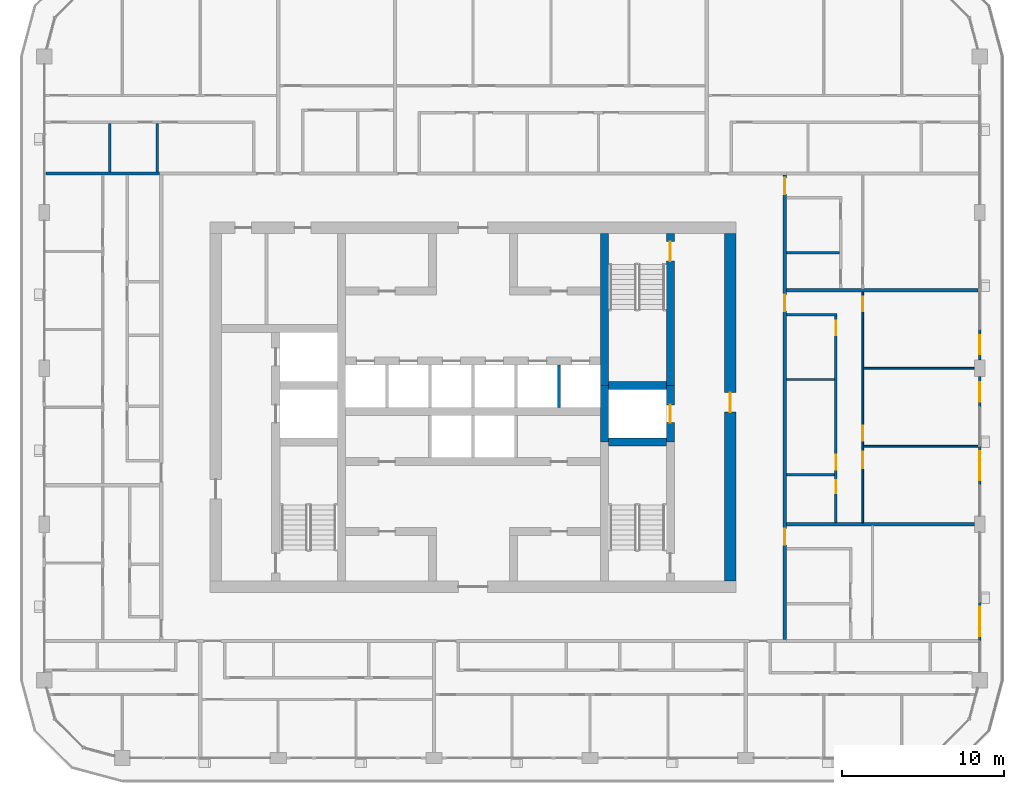
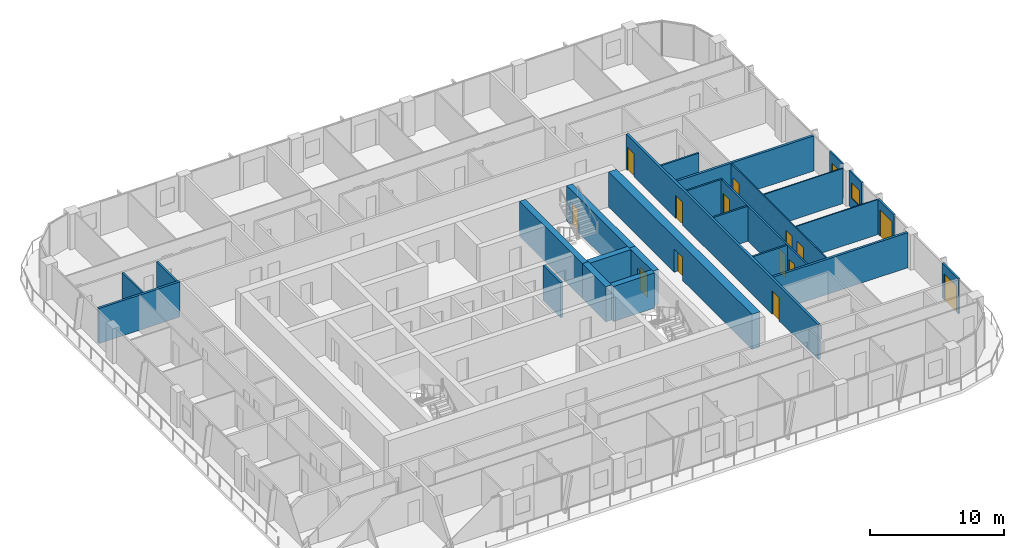
# One storey, part 13 of 23: 26 walls, 14 doors, 2 windows, 16 openings.
"""IFC4 building model written with IfcOpenShell, lengths in metres."""

from ifc_helpers import new_model, si_unit, direction, frame, frame_2d, origin, place, context, subcontext, project, spatial, rectangle, extrude, material, layer, layer_set, type_object, element, fill, save


model = new_model("IFC4")

# Units and contexts
model_context = context("Model", 3, precision=1e-05, world=origin(), true_north=direction((0.0, 1.0)))
body_context = subcontext(model_context, "Body", "Model", "MODEL_VIEW")
ifc_project = project(units=[si_unit("LENGTHUNIT", "METRE"), si_unit("AREAUNIT", "SQUARE_METRE"), si_unit("VOLUMEUNIT", "CUBIC_METRE"), si_unit("PLANEANGLEUNIT", "RADIAN"), si_unit("MASSUNIT", "GRAM", prefix="KILO")], contexts=[model_context])

# Site, building, storey
site_placement = place(None, origin())
site = spatial("IfcSite", under=ifc_project, at=site_placement, CompositionType="ELEMENT")
building_placement = place(site_placement, origin())
building = spatial("IfcBuilding", under=site, at=building_placement, Name="Madar Terraces", CompositionType="ELEMENT")
storey_placement = place(building_placement, frame((0.0, 0.0, 219.300048828125)))
storey = spatial("IfcBuildingStorey", under=building, at=storey_placement, Name="L57", CompositionType="ELEMENT", Elevation=219.300048828125)

# Walls
ifc_material_1 = material(Name="Concrete C60/75", Category="concrete")
ifc_layer_1 = layer(ifc_material_1, 0.5)
ifc_layer_set_1 = layer_set([ifc_layer_1], Name="Concrete C60/75 (CIW4 RC wall 500)")
wall_type_1 = type_object("IfcWallType", Name="CIW4 RC wall 500", PredefinedType="SHEAR", material=ifc_layer_set_1)
wall_1_placement = place(storey_placement, frame((39.300048828125, 24.25, 0.0), z_axis=(0.0, 0.0, 1.0), x_axis=(0.0, 1.0, 0.0)))
element("IfcWall", 1, at=wall_1_placement, inside=storey, type_object=wall_type_1, Name="CORE SHAFT WALL", PredefinedType="SHEAR", context=body_context, shape_type="SweptSolid", body=[
    extrude(rectangle(XDim=3.5, YDim=0.5, at=frame_2d((1.75, 0.0))), origin(), (0.0, 0.0, 1.0), 3.199951171875),
])
wall_2_placement = place(storey_placement, frame((39.300048828125, 27.75, 0.0), z_axis=(0.0, 0.0, 1.0), x_axis=(0.0, 1.0, 0.0)))
element("IfcWall", 2, at=wall_2_placement, inside=storey, type_object=wall_type_1, Name="CORE SHAFT WALL", PredefinedType="SHEAR", context=body_context, shape_type="SweptSolid", body=[
    extrude(rectangle(XDim=9.35009765625, YDim=0.5, at=frame_2d((4.675048828125, 0.0))), origin(), (0.0, 0.0, 1.0), 3.199951171875),
])

# Wall, opening, door
wall_3_placement = place(storey_placement, frame((43.35009765625, 24.25, 0.0), z_axis=(0.0, 0.0, 1.0), x_axis=(0.0, 1.0, 0.0)))
wall_3 = element("IfcWall", 3, at=wall_3_placement, inside=storey, type_object=wall_type_1, Name="CORE SHAFT WALL", PredefinedType="SHEAR", context=body_context, shape_type="SweptSolid", body=[
    extrude(rectangle(XDim=3.5, YDim=0.5, at=frame_2d((1.75, 0.0))), origin(), (0.0, 0.0, 1.0), 3.199951171875),
])
opening_1_placement = place(wall_3_placement, frame((1.199951171875, 0.0, 0.0)))
opening_1 = element("IfcOpeningElement", 4, at=opening_1_placement, cuts=wall_3, Name="Opening LD", PredefinedType="OPENING", context=body_context, shape_type="SweptSolid", body=[
    extrude(rectangle(XDim=1.10009765625, YDim=2.10009765625, at=frame_2d((0.550048828125, 1.050048828125))), frame((0.0, 0.260009765625, 0.0), z_axis=(0.0, -1.0, 0.0), x_axis=(1.0, 0.0, 0.0)), (0.0, 0.0, 1.0), 0.52001953125),
])
ifc_material_2 = material(Name="Stainless steel panel", Category="steel")
door_type_1 = type_object("IfcDoorType", Name="Lift landing door 1100 x 2100", OperationType="DOUBLE_DOOR_SLIDING", PredefinedType="DOOR", material=ifc_material_2)
door_1_placement = place(opening_1_placement, origin())
door_1 = element("IfcDoor", 5, at=door_1_placement, inside=storey, type_object=door_type_1, Name="LIFT LANDING DOOR", OperationType="DOUBLE_DOOR_SLIDING", OverallHeight=2.10009765625, OverallWidth=1.10009765625, PredefinedType="DOOR", context=body_context, shape_type="SweptSolid", body=[
    extrude(rectangle(XDim=1.10009765625, YDim=2.10009765625, at=frame_2d((0.550048828125, 1.050048828125))), frame((0.0, 0.02490234375, 0.0), z_axis=(0.0, -1.0, 0.0), x_axis=(1.0, 0.0, 0.0)), (0.0, 0.0, 1.0), 0.050048828125),
])
fill(opening_1, door_1)

wall_4_placement = place(storey_placement, frame((43.35009765625, 27.75, 0.0), z_axis=(0.0, 0.0, 1.0), x_axis=(0.0, 1.0, 0.0)))
wall_4 = element("IfcWall", 6, at=wall_4_placement, inside=storey, type_object=wall_type_1, Name="CORE SHAFT WALL", PredefinedType="SHEAR", context=body_context, shape_type="SweptSolid", body=[
    extrude(rectangle(XDim=9.35009765625, YDim=0.5, at=frame_2d((4.675048828125, 0.0))), origin(), (0.0, 0.0, 1.0), 3.199951171875),
])
opening_2_placement = place(wall_4_placement, frame((7.64990234375, 0.0, 0.0)))
opening_2 = element("IfcOpeningElement", 7, at=opening_2_placement, cuts=wall_4, Name="Opening SD1", PredefinedType="OPENING", context=body_context, shape_type="SweptSolid", body=[
    extrude(rectangle(XDim=1.199951171875, YDim=2.10009765625, at=frame_2d((0.60009765625, 1.050048828125))), frame((0.0, 0.260009765625, 0.0), z_axis=(0.0, -1.0, 0.0), x_axis=(1.0, 0.0, 0.0)), (0.0, 0.0, 1.0), 0.52001953125),
])
ifc_material_3 = material(Name="Steel door leaf", Category="steel")
door_type_2 = type_object("IfcDoorType", Name="Stair door 1200 x 2100", OperationType="NOTDEFINED", PredefinedType="DOOR", material=ifc_material_3)
door_2_placement = place(opening_2_placement, origin())
door_2 = element("IfcDoor", 8, at=door_2_placement, inside=storey, type_object=door_type_2, Name="STAIR DOOR", OperationType="SINGLE_SWING_LEFT", OverallHeight=2.10009765625, OverallWidth=1.199951171875, PredefinedType="DOOR", context=body_context, shape_type="SweptSolid", body=[
    extrude(rectangle(XDim=1.199951171875, YDim=2.10009765625, at=frame_2d((0.60009765625, 1.050048828125))), frame((0.0, 0.02490234375, 0.0), z_axis=(0.0, -1.0, 0.0), x_axis=(1.0, 0.0, 0.0)), (0.0, 0.0, 1.0), 0.050048828125),
])
fill(opening_2, door_2)

# Walls
for number, where, z_axis, x_axis, name in (
    (9, (39.550048828125, 24.25, 0.0), (0.0, 0.0, 1.0), (1.0, 0.0, 0.0), "CORE SHAFT WALL"),
    (10, (39.550048828125, 27.75, 0.0), (0.0, 0.0, 1.0), (1.0, 0.0, 0.0), "CORE SHAFT WALL"),
):
    element("IfcWall", number, at=place(storey_placement, frame(where, z_axis=z_axis, x_axis=x_axis)), inside=storey, type_object=wall_type_1, Name=name, PredefinedType="SHEAR", context=body_context, shape_type="SweptSolid", body=[
        extrude(rectangle(XDim=3.550048828125, YDim=0.5, at=frame_2d((1.77490234375, 0.0))), origin(), (0.0, 0.0, 1.0), 3.199951171875),
    ])

# Wall, opening, door
ifc_material_4 = material(Name="Concrete C60/75", Category="concrete")
ifc_layer_2 = layer(ifc_material_4, 0.699951171875)
ifc_layer_set_2 = layer_set([ifc_layer_2], Name="Concrete C60/75 (CRW4 RC wall 700)")
wall_type_2 = type_object("IfcWallType", Name="CRW4 RC wall 700", PredefinedType="SHEAR", material=ifc_layer_set_2)
wall_5_placement = place(storey_placement, frame((47.050048828125, 15.699951171875, 0.0), z_axis=(0.0, 0.0, 1.0), x_axis=(0.0, 1.0, 0.0)))
wall_5 = element("IfcWall", 11, at=wall_5_placement, inside=storey, type_object=wall_type_2, Name="CORE OUTER WALL", PredefinedType="SHEAR", context=body_context, shape_type="SweptSolid", body=[
    extrude(rectangle(XDim=21.400146484375, YDim=0.699951171875, at=frame_2d((10.7001953125, 0.0))), origin(), (0.0, 0.0, 1.0), 3.199951171875),
])
opening_3_placement = place(wall_5_placement, frame((10.39990234375, 0.0, 0.0)))
opening_3 = element("IfcOpeningElement", 12, at=opening_3_placement, cuts=wall_5, Name="Opening SD1", PredefinedType="OPENING", context=body_context, shape_type="SweptSolid", body=[
    extrude(rectangle(XDim=1.199951171875, YDim=2.10009765625, at=frame_2d((0.60009765625, 1.050048828125))), frame((0.0, 0.35986328125, 0.0), z_axis=(0.0, -1.0, 0.0), x_axis=(1.0, 0.0, 0.0)), (0.0, 0.0, 1.0), 0.719970703125),
])
door_3_placement = place(opening_3_placement, origin())
door_3 = element("IfcDoor", 13, at=door_3_placement, inside=storey, type_object=door_type_2, Name="STAIR DOOR", OperationType="SINGLE_SWING_LEFT", OverallHeight=2.10009765625, OverallWidth=1.199951171875, PredefinedType="DOOR", context=body_context, shape_type="SweptSolid", body=[
    extrude(rectangle(XDim=1.199951171875, YDim=2.10009765625, at=frame_2d((0.60009765625, 1.050048828125))), frame((0.0, 0.02490234375, 0.0), z_axis=(0.0, -1.0, 0.0), x_axis=(1.0, 0.0, 0.0)), (0.0, 0.0, 1.0), 0.050048828125),
])
fill(opening_3, door_3)

# Wall
ifc_material_5 = material(Name="Concrete C40/50", Category="concrete")
ifc_layer_3 = layer(ifc_material_5, 0.199951171875)
ifc_layer_set_3 = layer_set([ifc_layer_3], Name="Core shaft dividing wall 200 C40/50")
wall_type_3 = type_object("IfcWallType", Name="Core shaft dividing wall 200 C40/50", PredefinedType="SOLIDWALL", material=ifc_layer_set_3)
wall_6_placement = place(storey_placement, frame((36.5, 26.39990234375, 0.0), z_axis=(0.0, 0.0, 1.0), x_axis=(0.0, 1.0, 0.0)))
element("IfcWall", 14, at=wall_6_placement, inside=storey, type_object=wall_type_3, Name="SHAFT DIVIDING WALL", PredefinedType="SOLIDWALL", context=body_context, shape_type="SweptSolid", body=[
    extrude(rectangle(XDim=2.60009765625, YDim=0.199951171875, at=frame_2d((1.300048828125, 0.0))), origin(), (0.0, 0.0, 1.0), 3.199951171875),
])

# Wall, opening, door
ifc_material_6 = material(Name="Aluminium composite panel, black, over insulated backing", Category="aluminium")
ifc_layer_4 = layer(ifc_material_6, 0.14990234375)
ifc_layer_set_4 = layer_set([ifc_layer_4], Name="Facade bay panel 150")
wall_type_4 = type_object("IfcWallType", Name="Facade bay panel 150", PredefinedType="SOLIDWALL", material=ifc_layer_set_4)
wall_7_placement = place(storey_placement, frame((62.39990234375, 12.0, 0.0), z_axis=(0.0, 0.0, 1.0), x_axis=(0.0, 1.0, 0.0)))
wall_7 = element("IfcWall", 15, at=wall_7_placement, inside=storey, type_object=wall_type_4, Name="Facade bay panel", PredefinedType="SOLIDWALL", context=body_context, shape_type="SweptSolid", body=[
    extrude(rectangle(XDim=2.39990234375, YDim=0.14990234375, at=frame_2d((1.199951171875, 0.0))), origin(), (0.0, 0.0, 1.0), 3.199951171875),
])
opening_4_placement = place(wall_7_placement, frame((0.300048828125, 0.0, 0.0)))
opening_4 = element("IfcOpeningElement", 16, at=opening_4_placement, cuts=wall_7, Name="Opening ED1", PredefinedType="OPENING", context=body_context, shape_type="SweptSolid", body=[
    extrude(rectangle(XDim=1.800048828125, YDim=2.39990234375, at=frame_2d((0.89990234375, 1.199951171875))), frame((0.0, 0.0849609375, 0.0), z_axis=(0.0, -1.0, 0.0), x_axis=(1.0, 0.0, 0.0)), (0.0, 0.0, 1.0), 0.169921875),
])
ifc_material_7 = material(Name="Glass, clear, with black aluminium frame", Category="aluminium")
door_type_3 = type_object("IfcDoorType", Name="Balcony and terrace sliding door 1800 x 2400", OperationType="SLIDING_TO_LEFT", PredefinedType="DOOR", material=ifc_material_7)
door_4_placement = place(opening_4_placement, origin())
door_4 = element("IfcDoor", 17, at=door_4_placement, inside=storey, type_object=door_type_3, Name="Balcony door", OperationType="SLIDING_TO_LEFT", OverallHeight=2.39990234375, OverallWidth=1.800048828125, PredefinedType="DOOR", context=body_context, shape_type="SweptSolid", body=[
    extrude(rectangle(XDim=1.800048828125, YDim=2.39990234375, at=frame_2d((0.89990234375, 1.199951171875))), frame((0.0, 0.02490234375, 0.0), z_axis=(0.0, -1.0, 0.0), x_axis=(1.0, 0.0, 0.0)), (0.0, 0.0, 1.0), 0.050048828125),
])
fill(opening_4, door_4)

wall_8_placement = place(storey_placement, frame((62.39990234375, 21.60009765625, 0.0), z_axis=(0.0, 0.0, 1.0), x_axis=(0.0, 1.0, 0.0)))
wall_8 = element("IfcWall", 18, at=wall_8_placement, inside=storey, type_object=wall_type_4, Name="Facade bay panel", PredefinedType="SOLIDWALL", context=body_context, shape_type="SweptSolid", body=[
    extrude(rectangle(XDim=2.39990234375, YDim=0.14990234375, at=frame_2d((1.199951171875, 0.0))), origin(), (0.0, 0.0, 1.0), 3.199951171875),
])
opening_5_placement = place(wall_8_placement, frame((0.300048828125, 0.0, 0.0)))
opening_5 = element("IfcOpeningElement", 19, at=opening_5_placement, cuts=wall_8, Name="Opening ED1", PredefinedType="OPENING", context=body_context, shape_type="SweptSolid", body=[
    extrude(rectangle(XDim=1.800048828125, YDim=2.39990234375, at=frame_2d((0.89990234375, 1.199951171875))), frame((0.0, 0.0849609375, 0.0), z_axis=(0.0, -1.0, 0.0), x_axis=(1.0, 0.0, 0.0)), (0.0, 0.0, 1.0), 0.169921875),
])
door_5_placement = place(opening_5_placement, origin())
door_5 = element("IfcDoor", 20, at=door_5_placement, inside=storey, type_object=door_type_3, Name="Balcony door", OperationType="SLIDING_TO_RIGHT", OverallHeight=2.39990234375, OverallWidth=1.800048828125, PredefinedType="DOOR", context=body_context, shape_type="SweptSolid", body=[
    extrude(rectangle(XDim=1.800048828125, YDim=2.39990234375, at=frame_2d((0.89990234375, 1.199951171875))), frame((0.0, 0.02490234375, 0.0), z_axis=(0.0, -1.0, 0.0), x_axis=(1.0, 0.0, 0.0)), (0.0, 0.0, 1.0), 0.050048828125),
])
fill(opening_5, door_5)

# Wall, opening, window
wall_9_placement = place(storey_placement, frame((62.39990234375, 26.39990234375, 0.0), z_axis=(0.0, 0.0, 1.0), x_axis=(0.0, 1.0, 0.0)))
wall_9 = element("IfcWall", 21, at=wall_9_placement, inside=storey, type_object=wall_type_4, Name="Facade bay panel", PredefinedType="SOLIDWALL", context=body_context, shape_type="SweptSolid", body=[
    extrude(rectangle(XDim=1.900146484375, YDim=0.14990234375, at=frame_2d((0.9501953125, 0.0))), origin(), (0.0, 0.0, 1.0), 3.199951171875),
])
opening_6_placement = place(wall_9_placement, frame((0.35009765625, 0.0, 0.89990234375)))
opening_6 = element("IfcOpeningElement", 22, at=opening_6_placement, cuts=wall_9, Name="Opening W1", PredefinedType="OPENING", context=body_context, shape_type="SweptSolid", body=[
    extrude(rectangle(XDim=1.199951171875, YDim=1.39990234375, at=frame_2d((0.60009765625, 0.699951171875))), frame((0.0, 0.0849609375, 0.0), z_axis=(0.0, -1.0, 0.0), x_axis=(1.0, 0.0, 0.0)), (0.0, 0.0, 1.0), 0.169921875),
])
ifc_material_8 = material(Name="Glass, clear, with black aluminium frame", Category="aluminium")
window_type = type_object("IfcWindowType", Name="Vent window 1200 x 1400", PartitioningType="SINGLE_PANEL", PredefinedType="WINDOW", material=ifc_material_8)
window_1_placement = place(opening_6_placement, origin())
window_1 = element("IfcWindow", 23, at=window_1_placement, inside=storey, type_object=window_type, Name="Operable vent window", OverallHeight=1.39990234375, OverallWidth=1.199951171875, PartitioningType="SINGLE_PANEL", PredefinedType="WINDOW", context=body_context, shape_type="SweptSolid", body=[
    extrude(rectangle(XDim=1.199951171875, YDim=1.39990234375, at=frame_2d((0.60009765625, 0.699951171875))), frame((0.0, 0.030029296875, 0.0), z_axis=(0.0, -1.0, 0.0), x_axis=(1.0, 0.0, 0.0)), (0.0, 0.0, 1.0), 0.06005859375),
])
fill(opening_6, window_1)

wall_10_placement = place(storey_placement, frame((62.39990234375, 29.300048828125, 0.0), z_axis=(0.0, 0.0, 1.0), x_axis=(0.0, 1.0, 0.0)))
wall_10 = element("IfcWall", 24, at=wall_10_placement, inside=storey, type_object=wall_type_4, Name="Facade bay panel", PredefinedType="SOLIDWALL", context=body_context, shape_type="SweptSolid", body=[
    extrude(rectangle(XDim=1.89990234375, YDim=0.14990234375, at=frame_2d((0.949951171875, 0.0))), origin(), (0.0, 0.0, 1.0), 3.199951171875),
])
opening_7_placement = place(wall_10_placement, frame((0.35009765625, 0.0, 0.89990234375)))
opening_7 = element("IfcOpeningElement", 25, at=opening_7_placement, cuts=wall_10, Name="Opening W1", PredefinedType="OPENING", context=body_context, shape_type="SweptSolid", body=[
    extrude(rectangle(XDim=1.199951171875, YDim=1.39990234375, at=frame_2d((0.60009765625, 0.699951171875))), frame((0.0, 0.0849609375, 0.0), z_axis=(0.0, -1.0, 0.0), x_axis=(1.0, 0.0, 0.0)), (0.0, 0.0, 1.0), 0.169921875),
])
window_2_placement = place(opening_7_placement, origin())
window_2 = element("IfcWindow", 26, at=window_2_placement, inside=storey, type_object=window_type, Name="Operable vent window", OverallHeight=1.39990234375, OverallWidth=1.199951171875, PartitioningType="SINGLE_PANEL", PredefinedType="WINDOW", context=body_context, shape_type="SweptSolid", body=[
    extrude(rectangle(XDim=1.199951171875, YDim=1.39990234375, at=frame_2d((0.60009765625, 0.699951171875))), frame((0.0, 0.030029296875, 0.0), z_axis=(0.0, -1.0, 0.0), x_axis=(1.0, 0.0, 0.0)), (0.0, 0.0, 1.0), 0.06005859375),
])
fill(opening_7, window_2)

# Walls
ifc_material_9 = material(Name="Gypsum board on steel studs", Category="steel")
ifc_layer_5 = layer(ifc_material_9, 0.10009765625)
ifc_layer_set_5 = layer_set([ifc_layer_5], Name="Flat partition 100")
wall_type_5 = type_object("IfcWallType", Name="Flat partition 100", PredefinedType="PARTITIONING", material=ifc_layer_set_5)
wall_11_placement = place(storey_placement, frame((55.25, 28.800048828125, 0.0), z_axis=(0.0, 0.0, 1.0), x_axis=(1.0, 0.0, 0.0)))
element("IfcWall", 27, at=wall_11_placement, inside=storey, type_object=wall_type_5, Name="Flat partition 100", PredefinedType="PARTITIONING", context=body_context, shape_type="SweptSolid", body=[
    extrude(rectangle(XDim=6.824951171875, YDim=0.10009765625, at=frame_2d((3.41259765625, 0.0))), origin(), (0.0, 0.0, 1.0), 3.199951171875),
])
wall_12_placement = place(storey_placement, frame((55.25, 24.0, 0.0), z_axis=(0.0, 0.0, 1.0), x_axis=(1.0, 0.0, 0.0)))
element("IfcWall", 28, at=wall_12_placement, inside=storey, type_object=wall_type_5, Name="Flat partition 100", PredefinedType="PARTITIONING", context=body_context, shape_type="SweptSolid", body=[
    extrude(rectangle(XDim=7.050048828125, YDim=0.10009765625, at=frame_2d((3.52490234375, 0.0))), origin(), (0.0, 0.0, 1.0), 3.199951171875),
])

# Wall, openings, doors
wall_13_placement = place(storey_placement, frame((55.199951171875, 33.5, 0.0), z_axis=(0.0, 0.0, 1.0), x_axis=(0.0, -1.0, 0.0)))
wall_13 = element("IfcWall", 29, at=wall_13_placement, inside=storey, type_object=wall_type_5, Name="Flat partition 100", PredefinedType="PARTITIONING", context=body_context, shape_type="SweptSolid", body=[
    extrude(rectangle(XDim=14.199951171875, YDim=0.10009765625, at=frame_2d((7.10009765625, 0.0))), origin(), (0.0, 0.0, 1.0), 3.199951171875),
])
opening_8_placement = place(wall_13_placement, frame((0.300048828125, 0.0, 0.0)))
opening_8 = element("IfcOpeningElement", 30, at=opening_8_placement, cuts=wall_13, Name="Opening D2", PredefinedType="OPENING", context=body_context, shape_type="SweptSolid", body=[
    extrude(rectangle(XDim=0.89990234375, YDim=2.10009765625, at=frame_2d((0.449951171875, 1.050048828125))), frame((0.0, 0.06005859375, 0.0), z_axis=(0.0, -1.0, 0.0), x_axis=(1.0, 0.0, 0.0)), (0.0, 0.0, 1.0), 0.1201171875),
])
opening_9_placement = place(wall_13_placement, frame((8.25, 0.0, 0.0)))
opening_9 = element("IfcOpeningElement", 31, at=opening_9_placement, cuts=wall_13, Name="Opening D2", PredefinedType="OPENING", context=body_context, shape_type="SweptSolid", body=[
    extrude(rectangle(XDim=0.89990234375, YDim=2.10009765625, at=frame_2d((0.449951171875, 1.050048828125))), frame((0.0, 0.06005859375, 0.0), z_axis=(0.0, -1.0, 0.0), x_axis=(1.0, 0.0, 0.0)), (0.0, 0.0, 1.0), 0.1201171875),
])
opening_10_placement = place(wall_13_placement, frame((9.85009765625, 0.0, 0.0)))
opening_10 = element("IfcOpeningElement", 32, at=opening_10_placement, cuts=wall_13, Name="Opening D3", PredefinedType="OPENING", context=body_context, shape_type="SweptSolid", body=[
    extrude(rectangle(XDim=1.0, YDim=2.10009765625, at=frame_2d((0.5, 1.050048828125))), frame((0.0, 0.06005859375, 0.0), z_axis=(0.0, -1.0, 0.0), x_axis=(1.0, 0.0, 0.0)), (0.0, 0.0, 1.0), 0.1201171875),
])
ifc_material_10 = material(Name="Timber door leaf", Category="wood")
door_type_4 = type_object("IfcDoorType", Name="Flat living room door 1000", OperationType="NOTDEFINED", PredefinedType="DOOR", material=ifc_material_10)
door_6_placement = place(opening_10_placement, origin())
door_6 = element("IfcDoor", 33, at=door_6_placement, inside=storey, type_object=door_type_4, Name="Flat living room door 1000", OperationType="SINGLE_SWING_LEFT", OverallHeight=2.10009765625, OverallWidth=1.0, PredefinedType="DOOR", context=body_context, shape_type="SweptSolid", body=[
    extrude(rectangle(XDim=1.0, YDim=2.10009765625, at=frame_2d((0.5, 1.050048828125))), frame((0.0, 0.02490234375, 0.0), z_axis=(0.0, -1.0, 0.0), x_axis=(1.0, 0.0, 0.0)), (0.0, 0.0, 1.0), 0.050048828125),
])
fill(opening_10, door_6)
ifc_material_11 = material(Name="Timber door leaf", Category="wood")
door_type_5 = type_object("IfcDoorType", Name="Flat room door 900", OperationType="NOTDEFINED", PredefinedType="DOOR", material=ifc_material_11)
door_7_placement = place(opening_8_placement, origin())
door_7 = element("IfcDoor", 34, at=door_7_placement, inside=storey, type_object=door_type_5, Name="Flat room door 900", OperationType="SINGLE_SWING_LEFT", OverallHeight=2.10009765625, OverallWidth=0.89990234375, PredefinedType="DOOR", context=body_context, shape_type="SweptSolid", body=[
    extrude(rectangle(XDim=0.89990234375, YDim=2.10009765625, at=frame_2d((0.449951171875, 1.050048828125))), frame((0.0, 0.02490234375, 0.0), z_axis=(0.0, -1.0, 0.0), x_axis=(1.0, 0.0, 0.0)), (0.0, 0.0, 1.0), 0.050048828125),
])
fill(opening_8, door_7)
door_8_placement = place(opening_9_placement, origin())
door_8 = element("IfcDoor", 35, at=door_8_placement, inside=storey, type_object=door_type_5, Name="Flat room door 900", OperationType="SINGLE_SWING_RIGHT", OverallHeight=2.10009765625, OverallWidth=0.89990234375, PredefinedType="DOOR", context=body_context, shape_type="SweptSolid", body=[
    extrude(rectangle(XDim=0.89990234375, YDim=2.10009765625, at=frame_2d((0.449951171875, 1.050048828125))), frame((0.0, 0.02490234375, 0.0), z_axis=(0.0, -1.0, 0.0), x_axis=(1.0, 0.0, 0.0)), (0.0, 0.0, 1.0), 0.050048828125),
])
fill(opening_9, door_8)

ifc_material_12 = material(Name="Lightweight blockwork", Category="masonry")
ifc_layer_6 = layer(ifc_material_12, 0.199951171875)
ifc_layer_set_6 = layer_set([ifc_layer_6], Name="Flat party and entrance wall 200")
wall_type_6 = type_object("IfcWallType", Name="Flat party and entrance wall 200", PredefinedType="PARTITIONING", material=ifc_layer_set_6)
wall_14_placement = place(storey_placement, frame((50.39990234375, 40.699951171875, 0.0), z_axis=(0.0, 0.0, 1.0), x_axis=(0.0, -1.0, 0.0)))
wall_14 = element("IfcWall", 36, at=wall_14_placement, inside=storey, type_object=wall_type_6, Name="Flat party and entrance wall 200", PredefinedType="PARTITIONING", context=body_context, shape_type="SweptSolid", body=[
    extrude(rectangle(XDim=28.599853515625, YDim=0.199951171875, at=frame_2d((14.2998046875, 0.0))), origin(), (0.0, 0.0, 1.0), 3.199951171875),
])
opening_11_placement = place(wall_14_placement, frame((21.77490234375, 0.0, 0.0)))
opening_11 = element("IfcOpeningElement", 37, at=opening_11_placement, cuts=wall_14, Name="Opening D1", PredefinedType="OPENING", context=body_context, shape_type="SweptSolid", body=[
    extrude(rectangle(XDim=1.0, YDim=2.10009765625, at=frame_2d((0.5, 1.050048828125))), frame((0.0, 0.10986328125, 0.0), z_axis=(0.0, -1.0, 0.0), x_axis=(1.0, 0.0, 0.0)), (0.0, 0.0, 1.0), 0.219970703125),
])
opening_12_placement = place(wall_14_placement, frame((7.375, 0.0, 0.0)))
opening_12 = element("IfcOpeningElement", 38, at=opening_12_placement, cuts=wall_14, Name="Opening D1", PredefinedType="OPENING", context=body_context, shape_type="SweptSolid", body=[
    extrude(rectangle(XDim=1.0, YDim=2.10009765625, at=frame_2d((0.5, 1.050048828125))), frame((0.0, 0.10986328125, 0.0), z_axis=(0.0, -1.0, 0.0), x_axis=(1.0, 0.0, 0.0)), (0.0, 0.0, 1.0), 0.219970703125),
])
opening_13_placement = place(wall_14_placement, frame((0.175048828125, 0.0, 0.0)))
opening_13 = element("IfcOpeningElement", 39, at=opening_13_placement, cuts=wall_14, Name="Opening D1", PredefinedType="OPENING", context=body_context, shape_type="SweptSolid", body=[
    extrude(rectangle(XDim=1.0, YDim=2.10009765625, at=frame_2d((0.5, 1.050048828125))), frame((0.0, 0.10986328125, 0.0), z_axis=(0.0, -1.0, 0.0), x_axis=(1.0, 0.0, 0.0)), (0.0, 0.0, 1.0), 0.219970703125),
])
ifc_material_13 = material(Name="Timber fire door leaf", Category="wood")
door_type_6 = type_object("IfcDoorType", Name="Flat entrance door 1000 FD30S", OperationType="NOTDEFINED", PredefinedType="DOOR", material=ifc_material_13)
door_9_placement = place(opening_11_placement, origin())
door_9 = element("IfcDoor", 40, at=door_9_placement, inside=storey, type_object=door_type_6, Name="Flat entrance door 1000 FD30S", OperationType="SINGLE_SWING_LEFT", OverallHeight=2.10009765625, OverallWidth=1.0, PredefinedType="DOOR", context=body_context, shape_type="SweptSolid", body=[
    extrude(rectangle(XDim=1.0, YDim=2.10009765625, at=frame_2d((0.5, 1.050048828125))), frame((0.0, 0.02490234375, 0.0), z_axis=(0.0, -1.0, 0.0), x_axis=(1.0, 0.0, 0.0)), (0.0, 0.0, 1.0), 0.050048828125),
])
fill(opening_11, door_9)
door_10_placement = place(opening_12_placement, origin())
door_10 = element("IfcDoor", 41, at=door_10_placement, inside=storey, type_object=door_type_6, Name="Flat entrance door 1000 FD30S", OperationType="SINGLE_SWING_LEFT", OverallHeight=2.10009765625, OverallWidth=1.0, PredefinedType="DOOR", context=body_context, shape_type="SweptSolid", body=[
    extrude(rectangle(XDim=1.0, YDim=2.10009765625, at=frame_2d((0.5, 1.050048828125))), frame((0.0, 0.02490234375, 0.0), z_axis=(0.0, -1.0, 0.0), x_axis=(1.0, 0.0, 0.0)), (0.0, 0.0, 1.0), 0.050048828125),
])
fill(opening_12, door_10)
door_11_placement = place(opening_13_placement, origin())
door_11 = element("IfcDoor", 42, at=door_11_placement, inside=storey, type_object=door_type_6, Name="Flat entrance door 1000 FD30S", OperationType="SINGLE_SWING_LEFT", OverallHeight=2.10009765625, OverallWidth=1.0, PredefinedType="DOOR", context=body_context, shape_type="SweptSolid", body=[
    extrude(rectangle(XDim=1.0, YDim=2.10009765625, at=frame_2d((0.5, 1.050048828125))), frame((0.0, 0.02490234375, 0.0), z_axis=(0.0, -1.0, 0.0), x_axis=(1.0, 0.0, 0.0)), (0.0, 0.0, 1.0), 0.050048828125),
])
fill(opening_13, door_11)

# Walls
wall_15_placement = place(storey_placement, frame((50.5, 19.199951171875, 0.0), z_axis=(0.0, 0.0, 1.0), x_axis=(1.0, 0.0, 0.0)))
element("IfcWall", 43, at=wall_15_placement, inside=storey, type_object=wall_type_6, Name="Flat party and entrance wall 200", PredefinedType="PARTITIONING", context=body_context, shape_type="SweptSolid", body=[
    extrude(rectangle(XDim=11.574951171875, YDim=0.199951171875, at=frame_2d((5.78759765625, 0.0))), origin(), (0.0, 0.0, 1.0), 3.199951171875),
])
wall_16_placement = place(storey_placement, frame((50.5, 33.60009765625, 0.0), z_axis=(0.0, 0.0, 1.0), x_axis=(1.0, 0.0, 0.0)))
element("IfcWall", 44, at=wall_16_placement, inside=storey, type_object=wall_type_6, Name="Flat party and entrance wall 200", PredefinedType="PARTITIONING", context=body_context, shape_type="SweptSolid", body=[
    extrude(rectangle(XDim=11.800048828125, YDim=0.199951171875, at=frame_2d((5.89990234375, 0.0))), origin(), (0.0, 0.0, 1.0), 3.199951171875),
])
wall_17_placement = place(storey_placement, frame((4.89990234375, 40.800048828125, 0.0), z_axis=(0.0, 0.0, 1.0), x_axis=(1.0, 0.0, 0.0)))
element("IfcWall", 45, at=wall_17_placement, inside=storey, type_object=wall_type_6, Name="Flat party and entrance wall 200", PredefinedType="PARTITIONING", context=body_context, shape_type="SweptSolid", body=[
    extrude(rectangle(XDim=7.0, YDim=0.199951171875, at=frame_2d((3.5, 0.0))), origin(), (0.0, 0.0, 1.0), 3.199951171875),
])
ifc_material_14 = material(Name="Lightweight blockwork", Category="masonry")
ifc_layer_7 = layer(ifc_material_14, 0.14990234375)
ifc_layer_set_7 = layer_set([ifc_layer_7], Name="Flat wet-room partition 150")
wall_type_7 = type_object("IfcWallType", Name="Flat wet-room partition 150", PredefinedType="PARTITIONING", material=ifc_layer_set_7)
for number, where, z_axis, x_axis, name in (
    (46, (50.5, 28.109619140625, 0.0), (0.0, 0.0, 1.0), (1.0, 0.0, 0.0), "Flat wet-room partition 150"),
    (47, (50.5, 22.236572265625, 0.0), (0.0, 0.0, 1.0), (1.0, 0.0, 0.0), "Flat wet-room partition 150"),
):
    element("IfcWall", number, at=place(storey_placement, frame(where, z_axis=z_axis, x_axis=x_axis)), inside=storey, type_object=wall_type_7, Name=name, PredefinedType="PARTITIONING", context=body_context, shape_type="SweptSolid", body=[
        extrude(rectangle(XDim=2.97509765625, YDim=0.14990234375, at=frame_2d((1.487548828125, 0.0))), origin(), (0.0, 0.0, 1.0), 3.199951171875),
    ])
wall_18_placement = place(storey_placement, frame((50.5, 32.10009765625, 0.0), z_axis=(0.0, 0.0, 1.0), x_axis=(1.0, 0.0, 0.0)))
element("IfcWall", 48, at=wall_18_placement, inside=storey, type_object=wall_type_7, Name="Flat wet-room partition 150", PredefinedType="PARTITIONING", context=body_context, shape_type="SweptSolid", body=[
    extrude(rectangle(XDim=3.125, YDim=0.14990234375, at=frame_2d((1.5625, 0.0))), origin(), (0.0, 0.0, 1.0), 3.199951171875),
])

# Wall, openings, doors
wall_19_placement = place(storey_placement, frame((53.550048828125, 19.300048828125, 0.0), z_axis=(0.0, 0.0, 1.0), x_axis=(0.0, 1.0, 0.0)))
wall_19 = element("IfcWall", 49, at=wall_19_placement, inside=storey, type_object=wall_type_7, Name="Flat wet-room partition 150", PredefinedType="PARTITIONING", context=body_context, shape_type="SweptSolid", body=[
    extrude(rectangle(XDim=12.724853515625, YDim=0.14990234375, at=frame_2d((6.3623046875, 0.0))), origin(), (0.0, 0.0, 1.0), 3.199951171875),
])
opening_14_placement = place(wall_19_placement, frame((11.52490234375, 0.0, 0.0)))
opening_14 = element("IfcOpeningElement", 50, at=opening_14_placement, cuts=wall_19, Name="Opening D5", PredefinedType="OPENING", context=body_context, shape_type="SweptSolid", body=[
    extrude(rectangle(XDim=0.89990234375, YDim=2.10009765625, at=frame_2d((0.449951171875, 1.050048828125))), frame((0.0, 0.0849609375, 0.0), z_axis=(0.0, -1.0, 0.0), x_axis=(1.0, 0.0, 0.0)), (0.0, 0.0, 1.0), 0.169921875),
])
opening_15_placement = place(wall_19_placement, frame((3.261474609375, 0.0, 0.0)))
opening_15 = element("IfcOpeningElement", 51, at=opening_15_placement, cuts=wall_19, Name="Opening D2", PredefinedType="OPENING", context=body_context, shape_type="SweptSolid", body=[
    extrude(rectangle(XDim=0.89990234375, YDim=2.10009765625, at=frame_2d((0.449951171875, 1.050048828125))), frame((0.0, 0.0849609375, 0.0), z_axis=(0.0, -1.0, 0.0), x_axis=(1.0, 0.0, 0.0)), (0.0, 0.0, 1.0), 0.169921875),
])
opening_16_placement = place(wall_19_placement, frame((1.8115234375, 0.0, 0.0)))
opening_16 = element("IfcOpeningElement", 52, at=opening_16_placement, cuts=wall_19, Name="Opening D4", PredefinedType="OPENING", context=body_context, shape_type="SweptSolid", body=[
    extrude(rectangle(XDim=0.800048828125, YDim=2.10009765625, at=frame_2d((0.39990234375, 1.050048828125))), frame((0.0, 0.0849609375, 0.0), z_axis=(0.0, -1.0, 0.0), x_axis=(1.0, 0.0, 0.0)), (0.0, 0.0, 1.0), 0.169921875),
])
ifc_material_15 = material(Name="Timber door leaf", Category="wood")
door_type_7 = type_object("IfcDoorType", Name="Flat accessible bathroom door 900", OperationType="NOTDEFINED", PredefinedType="DOOR", material=ifc_material_15)
door_12_placement = place(opening_14_placement, origin())
door_12 = element("IfcDoor", 53, at=door_12_placement, inside=storey, type_object=door_type_7, Name="Flat accessible bathroom door 900", OperationType="SINGLE_SWING_RIGHT", OverallHeight=2.10009765625, OverallWidth=0.89990234375, PredefinedType="DOOR", context=body_context, shape_type="SweptSolid", body=[
    extrude(rectangle(XDim=0.89990234375, YDim=2.10009765625, at=frame_2d((0.449951171875, 1.050048828125))), frame((0.0, 0.02490234375, 0.0), z_axis=(0.0, -1.0, 0.0), x_axis=(1.0, 0.0, 0.0)), (0.0, 0.0, 1.0), 0.050048828125),
])
fill(opening_14, door_12)
ifc_material_16 = material(Name="Timber door leaf", Category="wood")
door_type_8 = type_object("IfcDoorType", Name="Flat bathroom door 800", OperationType="NOTDEFINED", PredefinedType="DOOR", material=ifc_material_16)
door_13_placement = place(opening_16_placement, origin())
door_13 = element("IfcDoor", 54, at=door_13_placement, inside=storey, type_object=door_type_8, Name="Flat bathroom door 800", OperationType="SINGLE_SWING_RIGHT", OverallHeight=2.10009765625, OverallWidth=0.800048828125, PredefinedType="DOOR", context=body_context, shape_type="SweptSolid", body=[
    extrude(rectangle(XDim=0.800048828125, YDim=2.10009765625, at=frame_2d((0.39990234375, 1.050048828125))), frame((0.0, 0.02490234375, 0.0), z_axis=(0.0, -1.0, 0.0), x_axis=(1.0, 0.0, 0.0)), (0.0, 0.0, 1.0), 0.050048828125),
])
fill(opening_16, door_13)
door_14_placement = place(opening_15_placement, origin())
door_14 = element("IfcDoor", 55, at=door_14_placement, inside=storey, type_object=door_type_5, Name="Flat room door 900", OperationType="SINGLE_SWING_LEFT", OverallHeight=2.10009765625, OverallWidth=0.89990234375, PredefinedType="DOOR", context=body_context, shape_type="SweptSolid", body=[
    extrude(rectangle(XDim=0.89990234375, YDim=2.10009765625, at=frame_2d((0.449951171875, 1.050048828125))), frame((0.0, 0.02490234375, 0.0), z_axis=(0.0, -1.0, 0.0), x_axis=(1.0, 0.0, 0.0)), (0.0, 0.0, 1.0), 0.050048828125),
])
fill(opening_15, door_14)

# Walls
wall_20_placement = place(storey_placement, frame((50.5, 35.909912109375, 0.0), z_axis=(0.0, 0.0, 1.0), x_axis=(1.0, 0.0, 0.0)))
element("IfcWall", 56, at=wall_20_placement, inside=storey, type_object=wall_type_7, Name="Flat wet-room partition 150", PredefinedType="PARTITIONING", context=body_context, shape_type="SweptSolid", body=[
    extrude(rectangle(XDim=3.27490234375, YDim=0.14990234375, at=frame_2d((1.637451171875, 0.0))), origin(), (0.0, 0.0, 1.0), 3.199951171875),
])
for number, where, z_axis, x_axis, name in (
    (57, (11.751953125, 40.89990234375, 0.0), (0.0, 0.0, 1.0), (0.0, 1.0, 0.0), "Flat wet-room partition 150"),
    (58, (8.8154296875, 40.89990234375, 0.0), (0.0, 0.0, 1.0), (0.0, 1.0, 0.0), "Flat wet-room partition 150"),
):
    element("IfcWall", number, at=place(storey_placement, frame(where, z_axis=z_axis, x_axis=x_axis)), inside=storey, type_object=wall_type_7, Name=name, PredefinedType="PARTITIONING", context=body_context, shape_type="SweptSolid", body=[
        extrude(rectangle(XDim=2.97509765625, YDim=0.14990234375, at=frame_2d((1.487548828125, 0.0))), origin(), (0.0, 0.0, 1.0), 3.199951171875),
    ])

save(model, "model.ifc")
